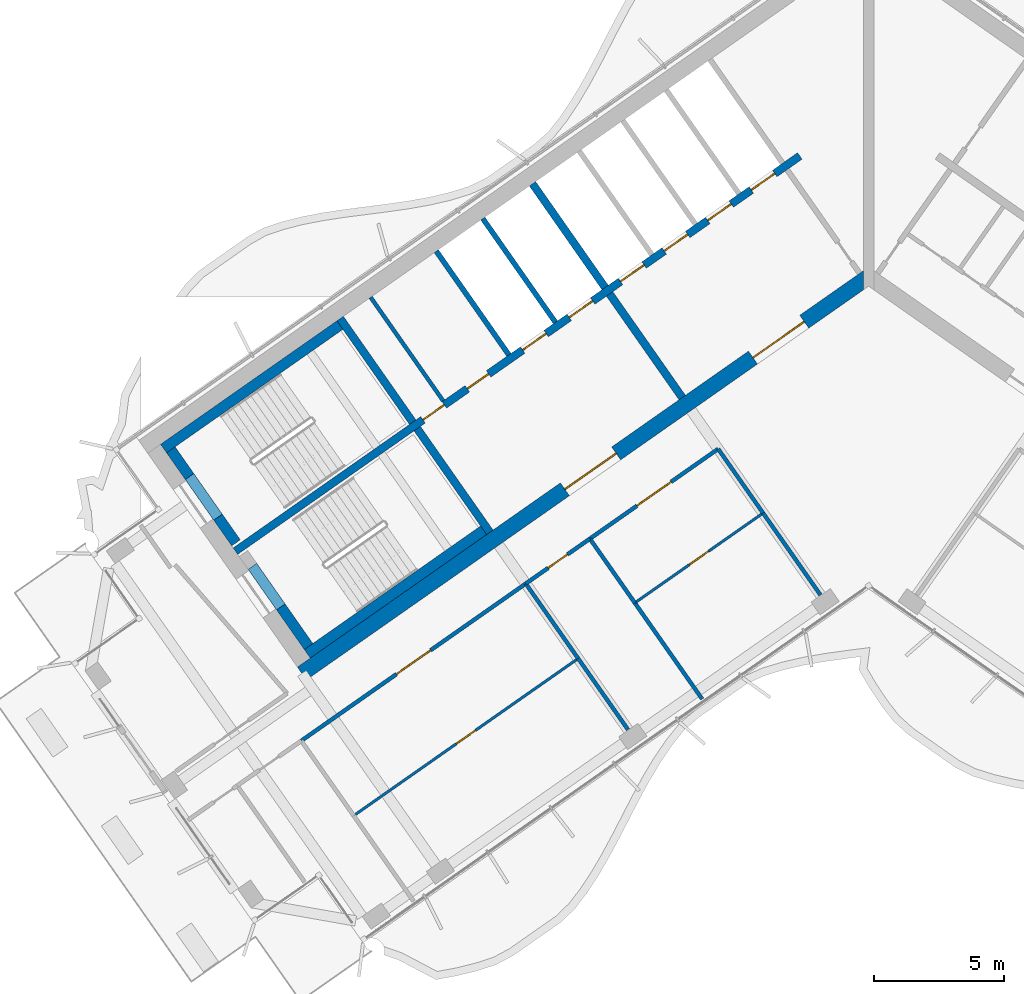
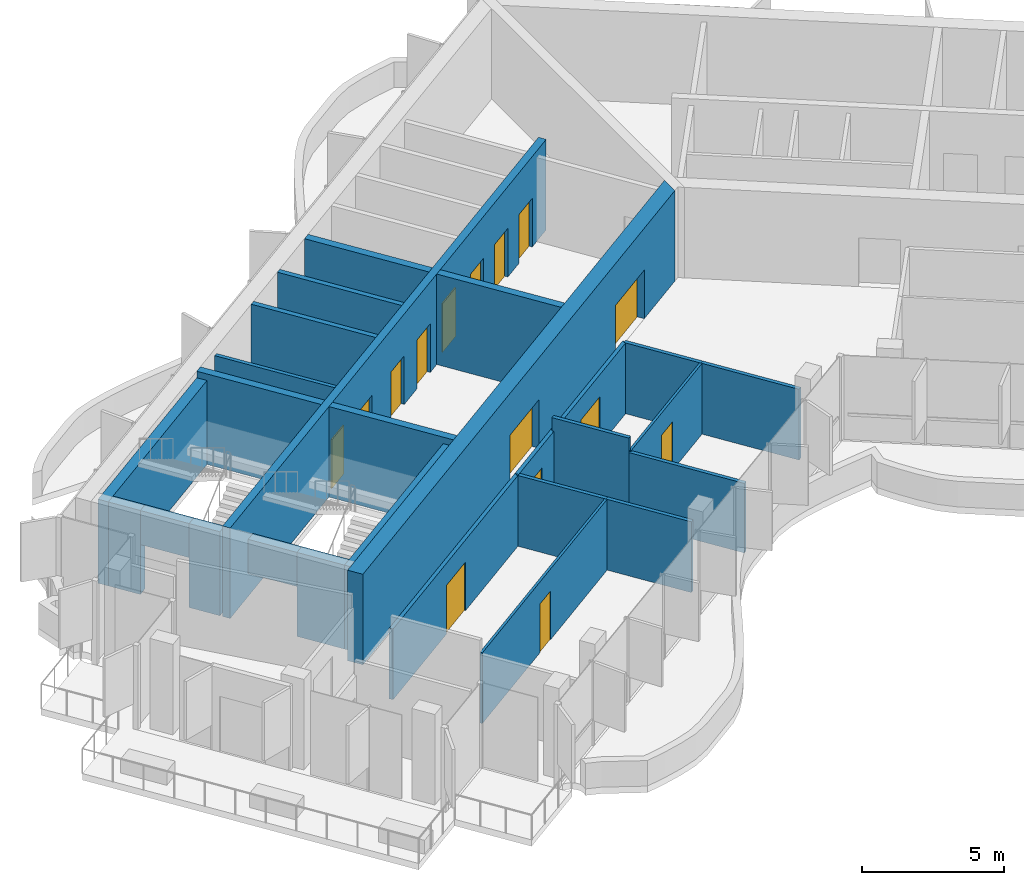
# One storey, part 9 of 18: 27 walls, 15 doors, 15 openings.
"""IFC4 building model written with IfcOpenShell, lengths in metres."""

from ifc_helpers import new_model, si_unit, direction, frame, frame_2d, origin, place, context, subcontext, project, spatial, polyline, rectangle, outline, extrude, material, layer, layer_set, type_object, element, fill, save


model = new_model("IFC4")

# Units and contexts
model_context = context("Model", 3, precision=1e-05, world=origin(), true_north=direction((0.0, 1.0)))
body_context = subcontext(model_context, "Body", "Model", "MODEL_VIEW")
ifc_project = project(units=[si_unit("LENGTHUNIT", "METRE"), si_unit("AREAUNIT", "SQUARE_METRE"), si_unit("VOLUMEUNIT", "CUBIC_METRE"), si_unit("PLANEANGLEUNIT", "RADIAN"), si_unit("MASSUNIT", "GRAM", prefix="KILO")], contexts=[model_context])

# Site, building, storey
site_placement = place(None, origin())
site = spatial("IfcSite", under=ifc_project, at=site_placement, CompositionType="ELEMENT")
building_placement = place(site_placement, origin())
building = spatial("IfcBuilding", under=site, at=building_placement, Name="Tel Ilan Convention Tower", CompositionType="ELEMENT")
storey_placement = place(building_placement, frame((0.0, 0.0, 295.60009765625)))
storey = spatial("IfcBuildingStorey", under=building, at=storey_placement, Name="L70", CompositionType="ELEMENT", Elevation=295.60009765625)

# Walls
ifc_material_1 = material(Name="Gypsum Plasterboard on Steel Stud", Category="steel")
ifc_layer_1 = layer(ifc_material_1, 0.14990234375)
ifc_layer_set_1 = layer_set([ifc_layer_1], Name="Core Room Partition Wall 150 mm EI 60")
wall_type_1 = type_object("IfcWallType", Name="Core Room Partition Wall 150 mm EI 60", PredefinedType="PARTITIONING", material=ifc_layer_set_1)
wall_1_placement = place(storey_placement, frame((-16.302001953125, -5.6162109375, 0.0), z_axis=(0.0, 0.0, 1.0), x_axis=(-0.573560315113, 0.819163332265, 0.0)))
element("IfcWall", 1, at=wall_1_placement, inside=storey, type_object=wall_type_1, Name="L70 core wall bank-W2-split", PredefinedType="PARTITIONING", context=body_context, shape_type="SweptSolid", body=[
    extrude(rectangle(XDim=4.849853515625, YDim=0.14990234375, at=frame_2d((2.4248046875, 0.0))), origin(), (0.0, 0.0, 1.0), 3.619873046875),
])
ifc_material_2 = material(Name="Concrete C40/50", Category="concrete")
ifc_layer_2 = layer(ifc_material_2, 0.300048828125)
ifc_layer_set_2 = layer_set([ifc_layer_2], Name="Core Shear Wall 300 mm C40/50")
wall_type_2 = type_object("IfcWallType", Name="Core Shear Wall 300 mm C40/50", PredefinedType="SHEAR", material=ifc_layer_set_2)
wall_2_placement = place(storey_placement, frame((-7.142822265625, -5.48974609375, 0.0), z_axis=(0.0, 0.0, 1.0), x_axis=(-0.573617744349, 0.819123118565, 0.0)))
element("IfcWall", 2, at=wall_2_placement, inside=storey, type_object=wall_type_2, Name="L70 core wall W-cross1-1", PredefinedType="SHEAR", context=body_context, shape_type="SweptSolid", body=[
    extrude(outline(polyline([(4.85009765625, 0.14990234375), (0.0, 0.150146484375), (0.0, -0.14990234375), (4.85009765625, -0.150146484375), (4.85009765625, 0.14990234375)])), origin(), (0.0, 0.0, 1.0), 3.89990234375),
])
wall_3_placement = place(storey_placement, frame((-10.096923828125, -1.271240234375, 0.0), z_axis=(0.0, 0.0, 1.0), x_axis=(-0.573560315113, 0.819163332265, 0.0)))
element("IfcWall", 3, at=wall_3_placement, inside=storey, type_object=wall_type_2, Name="L70 core wall W-cross1-2", PredefinedType="SHEAR", context=body_context, shape_type="SweptSolid", body=[
    extrude(outline(polyline([(4.849853515625, -0.14990234375), (4.849853515625, 0.150146484375), (0.0, 0.14990234375), (0.0, -0.150146484375), (4.849853515625, -0.14990234375)])), origin(), (0.0, 0.0, 1.0), 3.89990234375),
])
wall_4_placement = place(storey_placement, frame((-14.515380859375, -10.652099609375, 0.0), z_axis=(0.0, 0.0, 1.0), x_axis=(-0.573560315113, 0.819163332265, 0.0)))
element("IfcWall", 4, at=wall_4_placement, inside=storey, type_object=wall_type_2, Name="L70 core wall W-cross2-1", PredefinedType="SHEAR", context=body_context, shape_type="SweptSolid", body=[
    extrude(outline(polyline([(4.85009765625, 0.14990234375), (0.0, 0.14990234375), (0.0, -0.150146484375), (4.85009765625, -0.14990234375), (4.85009765625, 0.14990234375)])), origin(), (0.0, 0.0, 1.0), 3.89990234375),
])
wall_5_placement = place(storey_placement, frame((-17.46923828125, -6.433349609375, 0.0), z_axis=(0.0, 0.0, 1.0), x_axis=(-0.573594092424, 0.81913968109, 0.0)))
element("IfcWall", 5, at=wall_5_placement, inside=storey, type_object=wall_type_2, Name="L70 core wall W-cross2-2", PredefinedType="SHEAR", context=body_context, shape_type="SweptSolid", body=[
    extrude(outline(polyline([(4.849853515625, -0.150146484375), (4.849853515625, 0.14990234375), (0.0, 0.14990234375), (0.0, -0.14990234375), (4.849853515625, -0.150146484375)])), origin(), (0.0, 0.0, 1.0), 3.89990234375),
])

# Wall, openings, doors
wall_6_placement = place(storey_placement, frame((-2.638427734375, 3.76806640625, 0.0), z_axis=(0.0, 0.0, 1.0), x_axis=(-0.819155014212, -0.573572194837, 0.0)))
wall_6 = element("IfcWall", 6, at=wall_6_placement, inside=storey, type_object=wall_type_2, Name="L70 core wall W-spine", PredefinedType="SHEAR", context=body_context, shape_type="SweptSolid", body=[
    extrude(outline(polyline([(26.39990234375, 0.150146484375), (0.0, 0.14990234375), (0.0, -0.150146484375), (26.39990234375, -0.14990234375), (26.39990234375, 0.150146484375)])), origin(), (0.0, 0.0, 1.0), 3.89990234375),
])
opening_1_placement = place(wall_6_placement, frame((1.168701171875, 0.0, 0.0)))
opening_1 = element("IfcOpeningElement", 7, at=opening_1_placement, cuts=wall_6, Name="Opening LD5304", PredefinedType="OPENING", context=body_context, shape_type="SweptSolid", body=[
    extrude(rectangle(XDim=1.10009765625, YDim=2.10009765625, at=frame_2d((0.550048828125, 1.050048828125))), frame((0.0, 0.159912109375, 0.0), z_axis=(0.0, -1.0, 0.0), x_axis=(1.0, 0.0, 0.0)), (0.0, 0.0, 1.0), 0.320068359375),
])
opening_2_placement = place(wall_6_placement, frame((3.206298828125, 0.0, 0.0)))
opening_2 = element("IfcOpeningElement", 8, at=opening_2_placement, cuts=wall_6, Name="Opening LD5305", PredefinedType="OPENING", context=body_context, shape_type="SweptSolid", body=[
    extrude(rectangle(XDim=1.10009765625, YDim=2.10009765625, at=frame_2d((0.550048828125, 1.050048828125))), frame((0.0, 0.159912109375, 0.0), z_axis=(0.0, -1.0, 0.0), x_axis=(1.0, 0.0, 0.0)), (0.0, 0.0, 1.0), 0.320068359375),
])
opening_3_placement = place(wall_6_placement, frame((5.24365234375, 0.0, 0.0)))
opening_3 = element("IfcOpeningElement", 9, at=opening_3_placement, cuts=wall_6, Name="Opening LD5306", PredefinedType="OPENING", context=body_context, shape_type="SweptSolid", body=[
    extrude(rectangle(XDim=1.10009765625, YDim=2.10009765625, at=frame_2d((0.550048828125, 1.050048828125))), frame((0.0, 0.159912109375, 0.0), z_axis=(0.0, -1.0, 0.0), x_axis=(1.0, 0.0, 0.0)), (0.0, 0.0, 1.0), 0.320068359375),
])
opening_4_placement = place(wall_6_placement, frame((7.28125, 0.0, 0.0)))
opening_4 = element("IfcOpeningElement", 10, at=opening_4_placement, cuts=wall_6, Name="Opening LD5307", PredefinedType="OPENING", context=body_context, shape_type="SweptSolid", body=[
    extrude(rectangle(XDim=1.10009765625, YDim=2.10009765625, at=frame_2d((0.550048828125, 1.050048828125))), frame((0.0, 0.159912109375, 0.0), z_axis=(0.0, -1.0, 0.0), x_axis=(1.0, 0.0, 0.0)), (0.0, 0.0, 1.0), 0.320068359375),
])
opening_5_placement = place(wall_6_placement, frame((9.6875, 0.0, 0.0)))
opening_5 = element("IfcOpeningElement", 11, at=opening_5_placement, cuts=wall_6, Name="Opening LD5308", PredefinedType="OPENING", context=body_context, shape_type="SweptSolid", body=[
    extrude(rectangle(XDim=1.10009765625, YDim=2.10009765625, at=frame_2d((0.550048828125, 1.050048828125))), frame((0.0, 0.159912109375, 0.0), z_axis=(0.0, -1.0, 0.0), x_axis=(1.0, 0.0, 0.0)), (0.0, 0.0, 1.0), 0.320068359375),
])
opening_6_placement = place(wall_6_placement, frame((11.862548828125, 0.0, 0.0)))
opening_6 = element("IfcOpeningElement", 12, at=opening_6_placement, cuts=wall_6, Name="Opening LD5309", PredefinedType="OPENING", context=body_context, shape_type="SweptSolid", body=[
    extrude(rectangle(XDim=1.10009765625, YDim=2.10009765625, at=frame_2d((0.550048828125, 1.050048828125))), frame((0.0, 0.159912109375, 0.0), z_axis=(0.0, -1.0, 0.0), x_axis=(1.0, 0.0, 0.0)), (0.0, 0.0, 1.0), 0.320068359375),
])
opening_7_placement = place(wall_6_placement, frame((14.552490234375, 0.0, 0.0)))
opening_7 = element("IfcOpeningElement", 13, at=opening_7_placement, cuts=wall_6, Name="Opening CD5309", PredefinedType="OPENING", context=body_context, shape_type="SweptSolid", body=[
    extrude(rectangle(XDim=1.0, YDim=2.10009765625, at=frame_2d((0.5, 1.050048828125))), frame((0.0, 0.159912109375, 0.0), z_axis=(0.0, -1.0, 0.0), x_axis=(1.0, 0.0, 0.0)), (0.0, 0.0, 1.0), 0.320068359375),
])
opening_8_placement = place(wall_6_placement, frame((16.62744140625, 0.0, 0.0)))
opening_8 = element("IfcOpeningElement", 14, at=opening_8_placement, cuts=wall_6, Name="Opening CD5310", PredefinedType="OPENING", context=body_context, shape_type="SweptSolid", body=[
    extrude(rectangle(XDim=1.0, YDim=2.10009765625, at=frame_2d((0.5, 1.050048828125))), frame((0.0, 0.159912109375, 0.0), z_axis=(0.0, -1.0, 0.0), x_axis=(1.0, 0.0, 0.0)), (0.0, 0.0, 1.0), 0.320068359375),
])
ifc_material_3 = material(Name="Stainless Steel Sliding Door Leaf", Category="steel")
door_type_1 = type_object("IfcDoorType", Name="Lift Landing Door 1100 x 2100 FD120", OperationType="NOTDEFINED", PredefinedType="DOOR", material=ifc_material_3)
door_1_placement = place(opening_1_placement, origin())
door_1 = element("IfcDoor", 15, at=door_1_placement, inside=storey, type_object=door_type_1, Name="Lift HR1 landing door", OperationType="SLIDING_TO_LEFT", OverallHeight=2.10009765625, OverallWidth=1.10009765625, PredefinedType="DOOR", context=body_context, shape_type="SweptSolid", body=[
    extrude(rectangle(XDim=1.10009765625, YDim=2.10009765625, at=frame_2d((0.550048828125, 1.050048828125))), frame((0.0, 0.02490234375, 0.0), z_axis=(0.0, -1.0, 0.0), x_axis=(1.0, 0.0, 0.0)), (0.0, 0.0, 1.0), 0.050048828125),
])
fill(opening_1, door_1)
door_2_placement = place(opening_2_placement, origin())
door_2 = element("IfcDoor", 16, at=door_2_placement, inside=storey, type_object=door_type_1, Name="Lift HR2 landing door", OperationType="SLIDING_TO_RIGHT", OverallHeight=2.10009765625, OverallWidth=1.10009765625, PredefinedType="DOOR", context=body_context, shape_type="SweptSolid", body=[
    extrude(rectangle(XDim=1.10009765625, YDim=2.10009765625, at=frame_2d((0.550048828125, 1.050048828125))), frame((0.0, 0.02490234375, 0.0), z_axis=(0.0, -1.0, 0.0), x_axis=(1.0, 0.0, 0.0)), (0.0, 0.0, 1.0), 0.050048828125),
])
fill(opening_2, door_2)
door_3_placement = place(opening_3_placement, origin())
door_3 = element("IfcDoor", 17, at=door_3_placement, inside=storey, type_object=door_type_1, Name="Lift HR3 landing door", OperationType="SLIDING_TO_LEFT", OverallHeight=2.10009765625, OverallWidth=1.10009765625, PredefinedType="DOOR", context=body_context, shape_type="SweptSolid", body=[
    extrude(rectangle(XDim=1.10009765625, YDim=2.10009765625, at=frame_2d((0.550048828125, 1.050048828125))), frame((0.0, 0.02490234375, 0.0), z_axis=(0.0, -1.0, 0.0), x_axis=(1.0, 0.0, 0.0)), (0.0, 0.0, 1.0), 0.050048828125),
])
fill(opening_3, door_3)
door_4_placement = place(opening_4_placement, origin())
door_4 = element("IfcDoor", 18, at=door_4_placement, inside=storey, type_object=door_type_1, Name="Lift HR4 landing door", OperationType="SLIDING_TO_RIGHT", OverallHeight=2.10009765625, OverallWidth=1.10009765625, PredefinedType="DOOR", context=body_context, shape_type="SweptSolid", body=[
    extrude(rectangle(XDim=1.10009765625, YDim=2.10009765625, at=frame_2d((0.550048828125, 1.050048828125))), frame((0.0, 0.02490234375, 0.0), z_axis=(0.0, -1.0, 0.0), x_axis=(1.0, 0.0, 0.0)), (0.0, 0.0, 1.0), 0.050048828125),
])
fill(opening_4, door_4)
door_5_placement = place(opening_5_placement, origin())
door_5 = element("IfcDoor", 19, at=door_5_placement, inside=storey, type_object=door_type_1, Name="Lift HR5 landing door", OperationType="SLIDING_TO_LEFT", OverallHeight=2.10009765625, OverallWidth=1.10009765625, PredefinedType="DOOR", context=body_context, shape_type="SweptSolid", body=[
    extrude(rectangle(XDim=1.10009765625, YDim=2.10009765625, at=frame_2d((0.550048828125, 1.050048828125))), frame((0.0, 0.02490234375, 0.0), z_axis=(0.0, -1.0, 0.0), x_axis=(1.0, 0.0, 0.0)), (0.0, 0.0, 1.0), 0.050048828125),
])
fill(opening_5, door_5)
door_6_placement = place(opening_6_placement, origin())
door_6 = element("IfcDoor", 20, at=door_6_placement, inside=storey, type_object=door_type_1, Name="Lift HR6 landing door", OperationType="SLIDING_TO_RIGHT", OverallHeight=2.10009765625, OverallWidth=1.10009765625, PredefinedType="DOOR", context=body_context, shape_type="SweptSolid", body=[
    extrude(rectangle(XDim=1.10009765625, YDim=2.10009765625, at=frame_2d((0.550048828125, 1.050048828125))), frame((0.0, 0.02490234375, 0.0), z_axis=(0.0, -1.0, 0.0), x_axis=(1.0, 0.0, 0.0)), (0.0, 0.0, 1.0), 0.050048828125),
])
fill(opening_6, door_6)
ifc_material_4 = material(Name="Galvanised Steel Door Leaf", Category="steel")
door_type_2 = type_object("IfcDoorType", Name="Service Room Door 1000 x 2100 FD60", OperationType="NOTDEFINED", PredefinedType="DOOR", material=ifc_material_4)
door_7_placement = place(opening_7_placement, origin())
door_7 = element("IfcDoor", 21, at=door_7_placement, inside=storey, type_object=door_type_2, Name="Plant Room door", OperationType="SINGLE_SWING_RIGHT", OverallHeight=2.10009765625, OverallWidth=1.0, PredefinedType="DOOR", context=body_context, shape_type="SweptSolid", body=[
    extrude(rectangle(XDim=1.0, YDim=2.10009765625, at=frame_2d((0.5, 1.050048828125))), frame((0.0, 0.02490234375, 0.0), z_axis=(0.0, -1.0, 0.0), x_axis=(1.0, 0.0, 0.0)), (0.0, 0.0, 1.0), 0.050048828125),
])
fill(opening_7, door_7)
door_8_placement = place(opening_8_placement, origin())
door_8 = element("IfcDoor", 22, at=door_8_placement, inside=storey, type_object=door_type_2, Name="Plant Room door", OperationType="SINGLE_SWING_RIGHT", OverallHeight=2.10009765625, OverallWidth=1.0, PredefinedType="DOOR", context=body_context, shape_type="SweptSolid", body=[
    extrude(rectangle(XDim=1.0, YDim=2.10009765625, at=frame_2d((0.5, 1.050048828125))), frame((0.0, 0.02490234375, 0.0), z_axis=(0.0, -1.0, 0.0), x_axis=(1.0, 0.0, 0.0)), (0.0, 0.0, 1.0), 0.050048828125),
])
fill(opening_8, door_8)

ifc_material_5 = material(Name="Concrete C40/50", Category="concrete")
ifc_layer_3 = layer(ifc_material_5, 0.60009765625)
ifc_layer_set_3 = layer_set([ifc_layer_3], Name="Core Shear Wall 600 mm C40/50")
wall_type_3 = type_object("IfcWallType", Name="Core Shear Wall 600 mm C40/50", PredefinedType="SHEAR", material=ifc_layer_set_3)
wall_7_placement = place(storey_placement, frame((-0.02783203125, -0.8740234375, 0.0), z_axis=(0.0, 0.0, 1.0), x_axis=(-0.819150035022, -0.573579305871, 0.0)))
wall_7 = element("IfcWall", 23, at=wall_7_placement, inside=storey, type_object=wall_type_3, Name="L70 core wall W-front", PredefinedType="SHEAR", context=body_context, shape_type="SweptSolid", body=[
    extrude(outline(polyline([(26.475830078125, 0.2998046875), (0.420166015625, 0.300048828125), (0.000244140625, -0.300048828125), (26.475830078125, -0.300048828125), (26.475830078125, 0.2998046875)])), origin(), (0.0, 0.0, 1.0), 3.89990234375),
])
opening_9_placement = place(wall_7_placement, frame((2.975830078125, 0.0, 0.0)))
opening_9 = element("IfcOpeningElement", 24, at=opening_9_placement, cuts=wall_7, Name="Opening CD5306", PredefinedType="OPENING", context=body_context, shape_type="SweptSolid", body=[
    extrude(rectangle(XDim=2.39990234375, YDim=2.10009765625, at=frame_2d((1.199951171875, 1.050048828125))), frame((0.0, 0.31005859375, 0.0), z_axis=(0.0, -1.0, 0.0), x_axis=(1.0, 0.0, 0.0)), (0.0, 0.0, 1.0), 0.6201171875),
])
opening_10_placement = place(wall_7_placement, frame((11.77587890625, 0.0, 0.0)))
opening_10 = element("IfcOpeningElement", 25, at=opening_10_placement, cuts=wall_7, Name="Opening CD5307", PredefinedType="OPENING", context=body_context, shape_type="SweptSolid", body=[
    extrude(rectangle(XDim=2.39990234375, YDim=2.10009765625, at=frame_2d((1.199951171875, 1.050048828125))), frame((0.0, 0.31005859375, 0.0), z_axis=(0.0, -1.0, 0.0), x_axis=(1.0, 0.0, 0.0)), (0.0, 0.0, 1.0), 0.6201171875),
])
ifc_material_6 = material(Name="Glazed Aluminium Door Leaf", Category="aluminium")
door_type_3 = type_object("IfcDoorType", Name="Lobby Opening Door 2400 x 2100 FD60S", OperationType="NOTDEFINED", PredefinedType="DOOR", material=ifc_material_6)
door_9_placement = place(opening_9_placement, origin())
door_9 = element("IfcDoor", 26, at=door_9_placement, inside=storey, type_object=door_type_3, Name="Lift Lobby HR1-HR4 opening", OperationType="DOUBLE_DOOR_SINGLE_SWING", OverallHeight=2.10009765625, OverallWidth=2.39990234375, PredefinedType="DOOR", context=body_context, shape_type="SweptSolid", body=[
    extrude(rectangle(XDim=2.39990234375, YDim=2.10009765625, at=frame_2d((1.199951171875, 1.050048828125))), frame((0.0, 0.02490234375, 0.0), z_axis=(0.0, -1.0, 0.0), x_axis=(1.0, 0.0, 0.0)), (0.0, 0.0, 1.0), 0.050048828125),
])
fill(opening_9, door_9)
door_10_placement = place(opening_10_placement, origin())
door_10 = element("IfcDoor", 27, at=door_10_placement, inside=storey, type_object=door_type_3, Name="Lift Lobby HR5-HR6 opening", OperationType="DOUBLE_DOOR_SINGLE_SWING", OverallHeight=2.10009765625, OverallWidth=2.39990234375, PredefinedType="DOOR", context=body_context, shape_type="SweptSolid", body=[
    extrude(rectangle(XDim=2.39990234375, YDim=2.10009765625, at=frame_2d((1.199951171875, 1.050048828125))), frame((0.0, 0.02490234375, 0.0), z_axis=(0.0, -1.0, 0.0), x_axis=(1.0, 0.0, 0.0)), (0.0, 0.0, 1.0), 0.050048828125),
])
fill(opening_10, door_10)

# Wall, opening, door
ifc_material_7 = material(Name="Plasterboard on Steel Studs", Category="steel")
ifc_layer_4 = layer(ifc_material_7, 0.14990234375)
ifc_layer_set_4 = layer_set([ifc_layer_4], Name="Fire-rated Partition 150 EI 60")
wall_type_4 = type_object("IfcWallType", Name="Fire-rated Partition 150 EI 60", PredefinedType="PARTITIONING", material=ifc_layer_set_4)
wall_8_placement = place(storey_placement, frame((-5.766357421875, -7.455810546875, 0.0), z_axis=(0.0, 0.0, 1.0), x_axis=(-0.819147828287, -0.573582457378, 0.0)))
wall_8 = element("IfcWall", 28, at=wall_8_placement, inside=storey, type_object=wall_type_4, Name="Partition 006", PredefinedType="PARTITIONING", context=body_context, shape_type="SweptSolid", body=[
    extrude(rectangle(XDim=6.001953125, YDim=0.14990234375, at=frame_2d((3.0009765625, 0.0))), origin(), (0.0, 0.0, 1.0), 3.0498046875),
])
opening_11_placement = place(wall_8_placement, frame((2.200927734375, 0.0, 0.0)))
opening_11 = element("IfcOpeningElement", 29, at=opening_11_placement, cuts=wall_8, Name="Opening L70-001", PredefinedType="OPENING", context=body_context, shape_type="SweptSolid", body=[
    extrude(rectangle(XDim=1.60009765625, YDim=2.10009765625, at=frame_2d((0.800048828125, 1.050048828125))), frame((0.0, 0.0849609375, 0.0), z_axis=(0.0, -1.0, 0.0), x_axis=(1.0, 0.0, 0.0)), (0.0, 0.0, 1.0), 0.169921875),
])
ifc_material_8 = material(Name="Timber Door Leaf in Steel Frame", Category="steel")
door_type_4 = type_object("IfcDoorType", Name="Tenant Suite Entrance Fire Door 1600x2100", OperationType="NOTDEFINED", PredefinedType="DOOR", material=ifc_material_8)
door_11_placement = place(opening_11_placement, origin())
door_11 = element("IfcDoor", 30, at=door_11_placement, inside=storey, type_object=door_type_4, Name="Door L70-001", OperationType="DOUBLE_DOOR_SINGLE_SWING", OverallHeight=2.10009765625, OverallWidth=1.60009765625, PredefinedType="DOOR", context=body_context, shape_type="SweptSolid", body=[
    extrude(rectangle(XDim=1.60009765625, YDim=2.10009765625, at=frame_2d((0.800048828125, 1.050048828125))), frame((0.0, 0.02490234375, 0.0), z_axis=(0.0, -1.0, 0.0), x_axis=(1.0, 0.0, 0.0)), (0.0, 0.0, 1.0), 0.050048828125),
])
fill(opening_11, door_11)

wall_9_placement = place(storey_placement, frame((-10.6796875, -10.89599609375, 0.0), z_axis=(0.0, 0.0, 1.0), x_axis=(-0.819128818764, -0.573609604409, 0.0)))
wall_9 = element("IfcWall", 31, at=wall_9_placement, inside=storey, type_object=wall_type_4, Name="Partition 007", PredefinedType="PARTITIONING", context=body_context, shape_type="SweptSolid", body=[
    extrude(rectangle(XDim=3.004150390625, YDim=0.14990234375, at=frame_2d((1.501953125, 0.0))), origin(), (0.0, 0.0, 1.0), 3.0498046875),
])
opening_12_placement = place(wall_9_placement, frame((1.052001953125, 0.0, 0.0)))
opening_12 = element("IfcOpeningElement", 32, at=opening_12_placement, cuts=wall_9, Name="Opening L70-003", PredefinedType="OPENING", context=body_context, shape_type="SweptSolid", body=[
    extrude(rectangle(XDim=0.89990234375, YDim=2.10009765625, at=frame_2d((0.449951171875, 1.050048828125))), frame((0.0, 0.0849609375, 0.0), z_axis=(0.0, -1.0, 0.0), x_axis=(1.0, 0.0, 0.0)), (0.0, 0.0, 1.0), 0.169921875),
])
ifc_material_9 = material(Name="Timber Door Leaf in Steel Frame", Category="steel")
door_type_5 = type_object("IfcDoorType", Name="Room Fire Door 900x2100", OperationType="NOTDEFINED", PredefinedType="DOOR", material=ifc_material_9)
door_12_placement = place(opening_12_placement, origin())
door_12 = element("IfcDoor", 33, at=door_12_placement, inside=storey, type_object=door_type_5, Name="Door L70-003", OperationType="SINGLE_SWING_RIGHT", OverallHeight=2.10009765625, OverallWidth=0.89990234375, PredefinedType="DOOR", context=body_context, shape_type="SweptSolid", body=[
    extrude(rectangle(XDim=0.89990234375, YDim=2.10009765625, at=frame_2d((0.449951171875, 1.050048828125))), frame((0.0, 0.02490234375, 0.0), z_axis=(0.0, -1.0, 0.0), x_axis=(1.0, 0.0, 0.0)), (0.0, 0.0, 1.0), 0.050048828125),
])
fill(opening_12, door_12)

wall_10_placement = place(storey_placement, frame((-13.13720703125, -12.616943359375, 0.0), z_axis=(0.0, 0.0, 1.0), x_axis=(-0.819156568366, -0.573569975245, 0.0)))
wall_10 = element("IfcWall", 34, at=wall_10_placement, inside=storey, type_object=wall_type_4, Name="Partition 008", PredefinedType="PARTITIONING", context=body_context, shape_type="SweptSolid", body=[
    extrude(rectangle(XDim=10.50390625, YDim=0.14990234375, at=frame_2d((5.251953125, 0.0))), origin(), (0.0, 0.0, 1.0), 3.0498046875),
])
opening_13_placement = place(wall_10_placement, frame((4.451904296875, 0.0, 0.0)))
opening_13 = element("IfcOpeningElement", 35, at=opening_13_placement, cuts=wall_10, Name="Opening L70-004", PredefinedType="OPENING", context=body_context, shape_type="SweptSolid", body=[
    extrude(rectangle(XDim=1.60009765625, YDim=2.10009765625, at=frame_2d((0.800048828125, 1.050048828125))), frame((0.0, 0.0849609375, 0.0), z_axis=(0.0, -1.0, 0.0), x_axis=(1.0, 0.0, 0.0)), (0.0, 0.0, 1.0), 0.169921875),
])
door_13_placement = place(opening_13_placement, origin())
door_13 = element("IfcDoor", 36, at=door_13_placement, inside=storey, type_object=door_type_4, Name="Door L70-004", OperationType="DOUBLE_DOOR_SINGLE_SWING", OverallHeight=2.10009765625, OverallWidth=1.60009765625, PredefinedType="DOOR", context=body_context, shape_type="SweptSolid", body=[
    extrude(rectangle(XDim=1.60009765625, YDim=2.10009765625, at=frame_2d((0.800048828125, 1.050048828125))), frame((0.0, 0.02490234375, 0.0), z_axis=(0.0, -1.0, 0.0), x_axis=(1.0, 0.0, 0.0)), (0.0, 0.0, 1.0), 0.050048828125),
])
fill(opening_13, door_13)

# Walls
wall_11_placement = place(storey_placement, frame((-1.848876953125, -13.050537109375, 0.0), z_axis=(0.0, 0.0, 1.0), x_axis=(-0.573586379587, 0.81914508187, 0.0)))
element("IfcWall", 37, at=wall_11_placement, inside=storey, type_object=wall_type_4, Name="Partition 018", PredefinedType="PARTITIONING", context=body_context, shape_type="SweptSolid", body=[
    extrude(rectangle(XDim=3.830810546875, YDim=0.14990234375, at=frame_2d((1.91552734375, 0.0))), origin(), (0.0, 0.0, 1.0), 3.0498046875),
])
wall_12_placement = place(storey_placement, frame((-4.04443359375, -9.914794921875, 0.0), z_axis=(0.0, 0.0, 1.0), x_axis=(-0.573609604409, 0.819128818764, 0.0)))
element("IfcWall", 38, at=wall_12_placement, inside=storey, type_object=wall_type_4, Name="Partition 019", PredefinedType="PARTITIONING", context=body_context, shape_type="SweptSolid", body=[
    extrude(rectangle(XDim=3.004150390625, YDim=0.14990234375, at=frame_2d((1.501953125, 0.0))), origin(), (0.0, 0.0, 1.0), 3.0498046875),
])
wall_13_placement = place(storey_placement, frame((-6.37939453125, -17.041015625, 0.0), z_axis=(0.0, 0.0, 1.0), x_axis=(-0.573564311442, 0.819160534108, 0.0)))
element("IfcWall", 39, at=wall_13_placement, inside=storey, type_object=wall_type_4, Name="Partition 023", PredefinedType="PARTITIONING", context=body_context, shape_type="SweptSolid", body=[
    extrude(rectangle(XDim=4.499267578125, YDim=0.14990234375, at=frame_2d((2.24951171875, 0.0))), origin(), (0.0, 0.0, 1.0), 3.0),
])
wall_14_placement = place(storey_placement, frame((-8.96044921875, -13.354736328125, 0.0), z_axis=(0.0, 0.0, 1.0), x_axis=(-0.573615254604, 0.819124862085, 0.0)))
element("IfcWall", 40, at=wall_14_placement, inside=storey, type_object=wall_type_4, Name="Partition 024", PredefinedType="PARTITIONING", context=body_context, shape_type="SweptSolid", body=[
    extrude(rectangle(XDim=3.000244140625, YDim=0.14990234375, at=frame_2d((1.5, 0.0))), origin(), (0.0, 0.0, 1.0), 3.619873046875),
])
wall_15_placement = place(storey_placement, frame((-9.22119140625, -18.212890625, 0.0), z_axis=(0.0, 0.0, 1.0), x_axis=(-0.573565634093, 0.819159608006, 0.0)))
element("IfcWall", 41, at=wall_15_placement, inside=storey, type_object=wall_type_4, Name="Partition 025", PredefinedType="PARTITIONING", context=body_context, shape_type="SweptSolid", body=[
    extrude(rectangle(XDim=3.3310546875, YDim=0.14990234375, at=frame_2d((1.66552734375, 0.0))), origin(), (0.0, 0.0, 1.0), 3.0498046875),
])
wall_16_placement = place(storey_placement, frame((-11.130126953125, -15.48681640625, 0.0), z_axis=(0.0, 0.0, 1.0), x_axis=(-0.573523165603, 0.819189342287, 0.0)))
element("IfcWall", 42, at=wall_16_placement, inside=storey, type_object=wall_type_4, Name="Partition 026", PredefinedType="PARTITIONING", context=body_context, shape_type="SweptSolid", body=[
    extrude(rectangle(XDim=3.502197265625, YDim=0.14990234375, at=frame_2d((1.7509765625, 0.0))), origin(), (0.0, 0.0, 1.0), 3.0498046875),
])
ifc_material_10 = material(Name="Concrete C30/37", Category="concrete")
ifc_layer_5 = layer(ifc_material_10, 0.199951171875)
ifc_layer_set_5 = layer_set([ifc_layer_5], Name="Lift Shaft Wall 200 mm C30/37")
wall_type_5 = type_object("IfcWallType", Name="Lift Shaft Wall 200 mm C30/37", PredefinedType="SOLIDWALL", material=ifc_layer_set_5)
wall_17_placement = place(storey_placement, frame((-12.00146484375, -2.604736328125, 0.0), z_axis=(0.0, 0.0, 1.0), x_axis=(-0.573560315113, 0.819163332265, 0.0)))
element("IfcWall", 43, at=wall_17_placement, inside=storey, type_object=wall_type_5, Name="L70 core wall bank-W2-p0", PredefinedType="SOLIDWALL", context=body_context, shape_type="SweptSolid", body=[
    extrude(rectangle(XDim=4.849853515625, YDim=0.199951171875, at=frame_2d((2.4248046875, 0.0))), origin(), (0.0, 0.0, 1.0), 3.89990234375),
])
wall_18_placement = place(storey_placement, frame((-13.782958984375, -3.852294921875, 0.0), z_axis=(0.0, 0.0, 1.0), x_axis=(-0.573594092424, 0.81913968109, 0.0)))
element("IfcWall", 44, at=wall_18_placement, inside=storey, type_object=wall_type_5, Name="L70 core wall bank-W2-p1", PredefinedType="SOLIDWALL", context=body_context, shape_type="SweptSolid", body=[
    extrude(rectangle(XDim=4.85009765625, YDim=0.199951171875, at=frame_2d((2.425048828125, 0.0))), origin(), (0.0, 0.0, 1.0), 3.89990234375),
])

# Wall, opening, door
ifc_material_11 = material(Name="Plasterboard on Steel Studs", Category="steel")
ifc_layer_6 = layer(ifc_material_11, 0.10009765625)
ifc_layer_set_6 = layer_set([ifc_layer_6], Name="Plasterboard Partition 100")
wall_type_6 = type_object("IfcWallType", Name="Plasterboard Partition 100", PredefinedType="PARTITIONING", material=ifc_layer_set_6)
wall_19_placement = place(storey_placement, frame((-4.045166015625, -9.9140625, 0.0), z_axis=(0.0, 0.0, 1.0), x_axis=(-0.819149710902, -0.573579768758, 0.0)))
wall_19 = element("IfcWall", 45, at=wall_19_placement, inside=storey, type_object=wall_type_6, Name="Partition 022", PredefinedType="PARTITIONING", context=body_context, shape_type="SweptSolid", body=[
    extrude(rectangle(XDim=5.999755859375, YDim=0.10009765625, at=frame_2d((3.0, 0.0))), origin(), (0.0, 0.0, 1.0), 3.0498046875),
])
opening_14_placement = place(wall_19_placement, frame((2.550048828125, 0.0, 0.0)))
opening_14 = element("IfcOpeningElement", 46, at=opening_14_placement, cuts=wall_19, Name="Opening L70-002", PredefinedType="OPENING", context=body_context, shape_type="SweptSolid", body=[
    extrude(rectangle(XDim=0.89990234375, YDim=2.10009765625, at=frame_2d((0.449951171875, 1.050048828125))), frame((0.0, 0.06005859375, 0.0), z_axis=(0.0, -1.0, 0.0), x_axis=(1.0, 0.0, 0.0)), (0.0, 0.0, 1.0), 0.1201171875),
])
ifc_material_12 = material(Name="Timber Door Leaf in Steel Frame", Category="steel")
door_type_6 = type_object("IfcDoorType", Name="Room Timber Door 900x2100", OperationType="NOTDEFINED", PredefinedType="DOOR", material=ifc_material_12)
door_14_placement = place(opening_14_placement, origin())
door_14 = element("IfcDoor", 47, at=door_14_placement, inside=storey, type_object=door_type_6, Name="Door L70-002", OperationType="SINGLE_SWING_RIGHT", OverallHeight=2.10009765625, OverallWidth=0.89990234375, PredefinedType="DOOR", context=body_context, shape_type="SweptSolid", body=[
    extrude(rectangle(XDim=0.89990234375, YDim=2.10009765625, at=frame_2d((0.449951171875, 1.050048828125))), frame((0.0, 0.02490234375, 0.0), z_axis=(0.0, -1.0, 0.0), x_axis=(1.0, 0.0, 0.0)), (0.0, 0.0, 1.0), 0.050048828125),
])
fill(opening_14, door_14)

wall_20_placement = place(storey_placement, frame((-11.130615234375, -15.48583984375, 0.0), z_axis=(0.0, 0.0, 1.0), x_axis=(-0.819155448096, -0.573571575181, 0.0)))
wall_20 = element("IfcWall", 48, at=wall_20_placement, inside=storey, type_object=wall_type_6, Name="Partition 027", PredefinedType="PARTITIONING", context=body_context, shape_type="SweptSolid", body=[
    extrude(rectangle(XDim=10.5, YDim=0.10009765625, at=frame_2d((5.25, 0.0))), origin(), (0.0, 0.0, 1.0), 3.0498046875),
])
opening_15_placement = place(wall_20_placement, frame((4.800048828125, 0.0, 0.0)))
opening_15 = element("IfcOpeningElement", 49, at=opening_15_placement, cuts=wall_20, Name="Opening L70-005", PredefinedType="OPENING", context=body_context, shape_type="SweptSolid", body=[
    extrude(rectangle(XDim=0.89990234375, YDim=2.10009765625, at=frame_2d((0.449951171875, 1.050048828125))), frame((0.0, 0.06005859375, 0.0), z_axis=(0.0, -1.0, 0.0), x_axis=(1.0, 0.0, 0.0)), (0.0, 0.0, 1.0), 0.1201171875),
])
door_15_placement = place(opening_15_placement, origin())
door_15 = element("IfcDoor", 50, at=door_15_placement, inside=storey, type_object=door_type_6, Name="Door L70-005", OperationType="SINGLE_SWING_LEFT", OverallHeight=2.10009765625, OverallWidth=0.89990234375, PredefinedType="DOOR", context=body_context, shape_type="SweptSolid", body=[
    extrude(rectangle(XDim=0.89990234375, YDim=2.10009765625, at=frame_2d((0.449951171875, 1.050048828125))), frame((0.0, 0.02490234375, 0.0), z_axis=(0.0, -1.0, 0.0), x_axis=(1.0, 0.0, 0.0)), (0.0, 0.0, 1.0), 0.050048828125),
])
fill(opening_15, door_15)

# Walls
ifc_material_13 = material(Name="Concrete C30/37", Category="concrete")
ifc_layer_7 = layer(ifc_material_13, 0.39990234375)
ifc_layer_set_7 = layer_set([ifc_layer_7], Name="Stair and Shaft Lining Wall 400 mm C30/37")
wall_type_7 = type_object("IfcWallType", Name="Stair and Shaft Lining Wall 400 mm C30/37", PredefinedType="SOLIDWALL", material=ifc_layer_set_7)
wall_21_placement = place(storey_placement, frame((-20.25927734375, -2.71044921875, 0.0), z_axis=(0.0, 0.0, 1.0), x_axis=(-0.81914849389, -0.573581506813, 0.0)))
element("IfcWall", 51, at=wall_21_placement, inside=storey, type_object=wall_type_7, Name="L70 core wall lining-S1-t1", PredefinedType="SOLIDWALL", context=body_context, shape_type="SweptSolid", body=[
    extrude(rectangle(XDim=8.249755859375, YDim=0.39990234375, at=frame_2d((4.125, 0.0))), origin(), (0.0, 0.0, 1.0), 3.619873046875),
])
wall_22_placement = place(storey_placement, frame((-24.24365234375, -11.0546875, 0.0), z_axis=(0.0, 0.0, 1.0), x_axis=(-0.573571582932, 0.819155442668, 0.0)))
element("IfcWall", 52, at=wall_22_placement, inside=storey, type_object=wall_type_7, Name="L70 core wall lining-S1-u1-0", PredefinedType="SOLIDWALL", context=body_context, shape_type="SweptSolid", body=[
    extrude(rectangle(XDim=1.199951171875, YDim=0.39990234375, at=frame_2d((0.60009765625, 0.0))), origin(), (0.0, 0.0, 1.0), 3.619873046875),
])
wall_23_placement = place(storey_placement, frame((-26.021728515625, -8.515380859375, 0.0), z_axis=(0.0, 0.0, 1.0), x_axis=(-0.573619628835, 0.819121798889, 0.0)))
element("IfcWall", 53, at=wall_23_placement, inside=storey, type_object=wall_type_7, Name="L70 core wall lining-S1-u1-1", PredefinedType="SOLIDWALL", context=body_context, shape_type="SweptSolid", body=[
    extrude(rectangle(XDim=1.25, YDim=0.39990234375, at=frame_2d((0.625, 0.0))), origin(), (0.0, 0.0, 1.0), 3.619873046875),
])
wall_24_placement = place(storey_placement, frame((-24.931884765625, -10.07177734375, 2.14990234375), z_axis=(0.0, 0.0, 1.0), x_axis=(-0.573591692345, 0.819141361715, 0.0)))
element("IfcWall", 54, at=wall_24_placement, inside=storey, type_object=wall_type_7, Name="L70 core wall lining-S1-u1-lintel", PredefinedType="SOLIDWALL", context=body_context, shape_type="SweptSolid", body=[
    extrude(rectangle(XDim=1.900146484375, YDim=0.39990234375, at=frame_2d((0.9501953125, 0.0))), origin(), (0.0, 0.0, 1.0), 1.469970703125),
])
wall_25_placement = place(storey_placement, frame((-14.7529296875, -10.57421875, 0.0), z_axis=(0.0, 0.0, 1.0), x_axis=(-0.819158229677, -0.573567602601, 0.0)))
element("IfcWall", 55, at=wall_25_placement, inside=storey, type_object=wall_type_7, Name="L70 core wall lining-S2-t0", PredefinedType="SOLIDWALL", context=body_context, shape_type="SweptSolid", body=[
    extrude(rectangle(XDim=8.25, YDim=0.39990234375, at=frame_2d((4.125, 0.0))), origin(), (0.0, 0.0, 1.0), 3.619873046875),
])
wall_26_placement = place(storey_placement, frame((-21.4619140625, -15.027587890625, 0.0), z_axis=(0.0, 0.0, 1.0), x_axis=(-0.573559770908, 0.819163713305, 0.0)))
element("IfcWall", 56, at=wall_26_placement, inside=storey, type_object=wall_type_7, Name="L70 core wall lining-S2-u1-0", PredefinedType="SOLIDWALL", context=body_context, shape_type="SweptSolid", body=[
    extrude(rectangle(XDim=1.849853515625, YDim=0.39990234375, at=frame_2d((0.9248046875, 0.0))), origin(), (0.0, 0.0, 1.0), 3.619873046875),
])
wall_27_placement = place(storey_placement, frame((-22.52294921875, -13.51220703125, 2.14990234375), z_axis=(0.0, 0.0, 1.0), x_axis=(-0.573591692345, 0.819141361715, 0.0)))
element("IfcWall", 57, at=wall_27_placement, inside=storey, type_object=wall_type_7, Name="L70 core wall lining-S2-u1-lintel", PredefinedType="SOLIDWALL", context=body_context, shape_type="SweptSolid", body=[
    extrude(rectangle(XDim=1.900146484375, YDim=0.39990234375, at=frame_2d((0.9501953125, 0.0))), origin(), (0.0, 0.0, 1.0), 1.469970703125),
])

save(model, "model.ifc")
